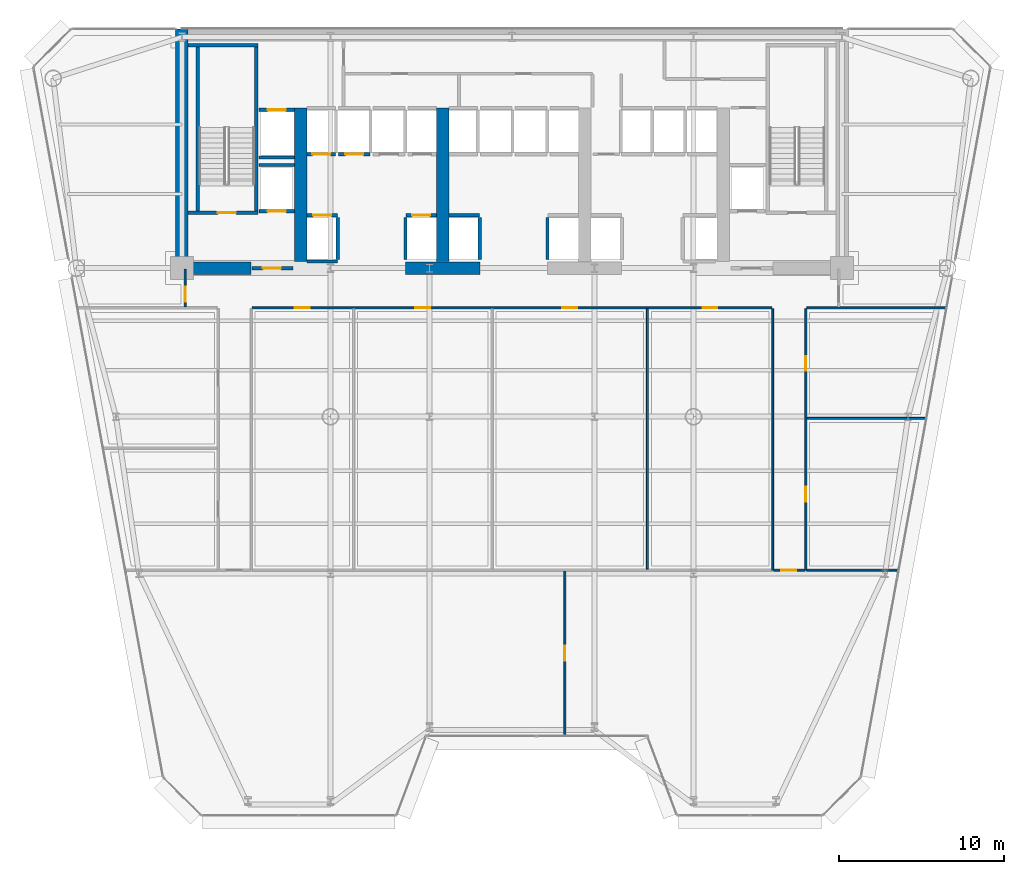
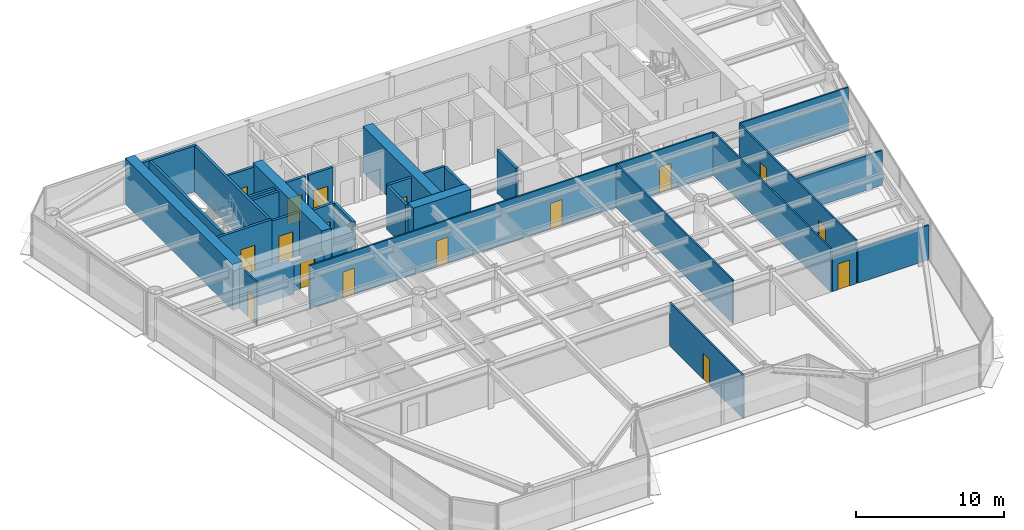
# One storey, part 8 of 14: 34 walls, 17 doors, 17 openings.
"""IFC4 building model written with IfcOpenShell, lengths in metres."""

from ifc_helpers import new_model, si_unit, direction, frame, frame_2d, origin, place, context, subcontext, project, spatial, rectangle, extrude, source, transform, mapped, material, layer, layer_set, type_object, element, fill, save


model = new_model("IFC4")

# Units and contexts
model_context = context("Model", 3, precision=1e-05, world=origin(), true_north=direction((0.0, 1.0)))
body_context = subcontext(model_context, "Body", "Model", "MODEL_VIEW")
ifc_project = project(units=[si_unit("LENGTHUNIT", "METRE"), si_unit("AREAUNIT", "SQUARE_METRE"), si_unit("VOLUMEUNIT", "CUBIC_METRE"), si_unit("PLANEANGLEUNIT", "RADIAN"), si_unit("MASSUNIT", "GRAM", prefix="KILO")], contexts=[model_context])

# Site, building, storey
site_placement = place(None, origin())
site = spatial("IfcSite", under=ifc_project, at=site_placement, CompositionType="ELEMENT")
building_placement = place(site_placement, origin())
building = spatial("IfcBuilding", under=site, at=building_placement, Name="Vaeldorn Concourse Tower", CompositionType="ELEMENT")
storey_placement = place(building_placement, frame((0.0, 0.0, 92.0)))
storey = spatial("IfcBuildingStorey", under=building, at=storey_placement, Name="L23", CompositionType="ELEMENT", Elevation=92.0)

# Walls
ifc_material_1 = material(Name="Concrete C60/75", Category="concrete")
ifc_layer_1 = layer(ifc_material_1, 0.75)
ifc_layer_set_1 = layer_set([ifc_layer_1], Name="Concrete C60/75")
wall_type_1 = type_object("IfcWallType", Name="WL-CORE-750", PredefinedType="SHEAR", material=ifc_layer_set_1)
wall_1_placement = place(storey_placement, frame((14.0, 36.5, 0.0), z_axis=(0.0, 0.0, 1.0), x_axis=(0.0, 1.0, 0.0)))
element("IfcWall", 1, at=wall_1_placement, inside=storey, type_object=wall_type_1, Name="Rear Core Shear Wall L23 W1", PredefinedType="SHEAR", context=body_context, shape_type="SweptSolid", body=[
    extrude(rectangle(XDim=14.5, YDim=0.75, at=frame_2d((7.25, 0.0))), origin(), (0.0, 0.0, 1.0), 3.800048828125),
])
wall_2_placement = place(storey_placement, frame((14.39501953125, 36.5, 0.0), z_axis=(0.0, 0.0, 1.0), x_axis=(1.0, 0.0, 0.0)))
element("IfcWall", 2, at=wall_2_placement, inside=storey, type_object=wall_type_1, Name="Rear Core Shear Wall L23 S1", PredefinedType="SHEAR", context=body_context, shape_type="SweptSolid", body=[
    extrude(rectangle(XDim=3.804931640625, YDim=0.75, at=frame_2d((1.90234375, 0.0))), origin(), (0.0, 0.0, 1.0), 2.3798828125),
])
wall_3_placement = place(storey_placement, frame((27.550048828125, 36.5, 0.0), z_axis=(0.0, 0.0, 1.0), x_axis=(1.0, 0.0, 0.0)))
element("IfcWall", 3, at=wall_3_placement, inside=storey, type_object=wall_type_1, Name="Rear Core Shear Wall L23 S2", PredefinedType="SHEAR", context=body_context, shape_type="SweptSolid", body=[
    extrude(rectangle(XDim=4.5, YDim=0.75, at=frame_2d((2.25, 0.0))), origin(), (0.0, 0.0, 1.0), 3.800048828125),
])
for number, where, z_axis, x_axis, name in (
    (4, (21.199951171875, 36.89501953125, 0.0), (0.0, 0.0, 1.0), (0.0, 1.0, 0.0), "Rear Core Shear Wall L23 M1"),
    (5, (29.800048828125, 36.89501953125, 0.0), (0.0, 0.0, 1.0), (0.0, 1.0, 0.0), "Rear Core Shear Wall L23 M2"),
):
    element("IfcWall", number, at=place(storey_placement, frame(where, z_axis=z_axis, x_axis=x_axis)), inside=storey, type_object=wall_type_1, Name=name, PredefinedType="SHEAR", context=body_context, shape_type="SweptSolid", body=[
        extrude(rectangle(XDim=9.304931640625, YDim=0.75, at=frame_2d((4.65234375, 0.0))), origin(), (0.0, 0.0, 1.0), 3.800048828125),
    ])

# Wall, openings, doors
ifc_material_2 = material(Name="Gypsum Board Partition", Category="gypsum")
ifc_layer_2 = layer(ifc_material_2, 0.1201171875)
ifc_layer_set_2 = layer_set([ifc_layer_2], Name="Gypsum Board Partition")
wall_type_2 = type_object("IfcWallType", Name="WL-PART-120", PredefinedType="PARTITIONING", material=ifc_layer_set_2)
wall_4_placement = place(storey_placement, frame((18.260009765625, 34.10009765625, 0.0), z_axis=(0.0, 0.0, 1.0), x_axis=(1.0, 0.0, 0.0)))
wall_4 = element("IfcWall", 6, at=wall_4_placement, inside=storey, type_object=wall_type_2, Name="Interior Wall PW-L23-CEWS", PredefinedType="PARTITIONING", context=body_context, shape_type="SweptSolid", body=[
    extrude(rectangle(XDim=31.47998046875, YDim=0.1201171875, at=frame_2d((15.739990234375, 0.0))), origin(), (0.0, 0.0, 1.0), 3.580078125),
])
opening_1_placement = place(wall_4_placement, frame((2.590087890625, 0.0, 0.0)))
opening_1 = element("IfcOpeningElement", 7, at=opening_1_placement, cuts=wall_4, Name="Opening D-03", PredefinedType="OPENING", context=body_context, shape_type="SweptSolid", body=[
    extrude(rectangle(XDim=0.89990234375, YDim=2.14990234375, at=frame_2d((0.449951171875, 1.074951171875))), frame((0.0, 0.070068359375, 0.0), z_axis=(0.0, -1.0, 0.0), x_axis=(1.0, 0.0, 0.0)), (0.0, 0.0, 1.0), 0.14013671875),
])
opening_2_placement = place(wall_4_placement, frame((9.889892578125, 0.0, 0.0)))
opening_2 = element("IfcOpeningElement", 8, at=opening_2_placement, cuts=wall_4, Name="Opening D-03", PredefinedType="OPENING", context=body_context, shape_type="SweptSolid", body=[
    extrude(rectangle(XDim=0.89990234375, YDim=2.14990234375, at=frame_2d((0.449951171875, 1.074951171875))), frame((0.0, 0.070068359375, 0.0), z_axis=(0.0, -1.0, 0.0), x_axis=(1.0, 0.0, 0.0)), (0.0, 0.0, 1.0), 0.14013671875),
])
opening_3_placement = place(wall_4_placement, frame((18.7900390625, 0.0, 0.0)))
opening_3 = element("IfcOpeningElement", 9, at=opening_3_placement, cuts=wall_4, Name="Opening D-03", PredefinedType="OPENING", context=body_context, shape_type="SweptSolid", body=[
    extrude(rectangle(XDim=0.89990234375, YDim=2.14990234375, at=frame_2d((0.449951171875, 1.074951171875))), frame((0.0, 0.070068359375, 0.0), z_axis=(0.0, -1.0, 0.0), x_axis=(1.0, 0.0, 0.0)), (0.0, 0.0, 1.0), 0.14013671875),
])
opening_4_placement = place(wall_4_placement, frame((27.2900390625, 0.0, 0.0)))
opening_4 = element("IfcOpeningElement", 10, at=opening_4_placement, cuts=wall_4, Name="Opening D-03", PredefinedType="OPENING", context=body_context, shape_type="SweptSolid", body=[
    extrude(rectangle(XDim=0.89990234375, YDim=2.14990234375, at=frame_2d((0.449951171875, 1.074951171875))), frame((0.0, 0.070068359375, 0.0), z_axis=(0.0, -1.0, 0.0), x_axis=(1.0, 0.0, 0.0)), (0.0, 0.0, 1.0), 0.14013671875),
])
ifc_material_3 = material(Name="Acoustic Bronze-Framed Glass Door", Category="glass")
door_type_1 = type_object("IfcDoorType", Name="DR-INT-900", OperationType="NOTDEFINED", PredefinedType="DOOR", material=ifc_material_3)
shared_shape_1 = source(origin(), body_context, "Body", "SweptSolid", [
    extrude(rectangle(XDim=0.89990234375, YDim=2.14990234375, at=frame_2d((0.449951171875, 1.074951171875))), frame((0.0, 0.02490234375, 0.0), z_axis=(0.0, -1.0, 0.0), x_axis=(1.0, 0.0, 0.0)), (0.0, 0.0, 1.0), 0.050048828125),
])
door_1_placement = place(opening_1_placement, origin())
door_1 = element("IfcDoor", 11, at=door_1_placement, inside=storey, type_object=door_type_1, Name="Interior Door DR-L23-H1", OperationType="SINGLE_SWING_LEFT", OverallHeight=2.14990234375, OverallWidth=0.89990234375, PredefinedType="DOOR", context=body_context, shape_type="MappedRepresentation", body=[
    mapped(shared_shape_1, transform((0.0, 0.0, 0.0), scale=1.0)),
])
fill(opening_1, door_1)
door_2_placement = place(opening_2_placement, origin())
door_2 = element("IfcDoor", 12, at=door_2_placement, inside=storey, type_object=door_type_1, Name="Interior Door DR-L23-H2", OperationType="SINGLE_SWING_RIGHT", OverallHeight=2.14990234375, OverallWidth=0.89990234375, PredefinedType="DOOR", context=body_context, shape_type="MappedRepresentation", body=[
    mapped(shared_shape_1, transform((0.0, 0.0, 0.0), scale=1.0)),
])
fill(opening_2, door_2)
door_3_placement = place(opening_3_placement, origin())
door_3 = element("IfcDoor", 13, at=door_3_placement, inside=storey, type_object=door_type_1, Name="Interior Door DR-L23-H3", OperationType="SINGLE_SWING_LEFT", OverallHeight=2.14990234375, OverallWidth=0.89990234375, PredefinedType="DOOR", context=body_context, shape_type="MappedRepresentation", body=[
    mapped(shared_shape_1, transform((0.0, 0.0, 0.0), scale=1.0)),
])
fill(opening_3, door_3)
door_4_placement = place(opening_4_placement, origin())
door_4 = element("IfcDoor", 14, at=door_4_placement, inside=storey, type_object=door_type_1, Name="Interior Door DR-L23-H4", OperationType="SINGLE_SWING_RIGHT", OverallHeight=2.14990234375, OverallWidth=0.89990234375, PredefinedType="DOOR", context=body_context, shape_type="MappedRepresentation", body=[
    mapped(shared_shape_1, transform((0.0, 0.0, 0.0), scale=1.0)),
])
fill(opening_4, door_4)

# Wall
wall_5_placement = place(storey_placement, frame((51.860107421875, 34.10009765625, 0.0), z_axis=(0.0, 0.0, 1.0), x_axis=(1.0, 0.0, 0.0)))
element("IfcWall", 15, at=wall_5_placement, inside=storey, type_object=wall_type_2, Name="Interior Wall PW-L23-CEWE", PredefinedType="PARTITIONING", context=body_context, shape_type="SweptSolid", body=[
    extrude(rectangle(XDim=8.43359375, YDim=0.1201171875, at=frame_2d((4.216796875, 0.0))), origin(), (0.0, 0.0, 1.0), 3.580078125),
])

# Wall, opening, door
wall_6_placement = place(storey_placement, frame((14.199951171875, 34.159912109375, 0.0), z_axis=(0.0, 0.0, 1.0), x_axis=(0.0, 1.0, 0.0)))
wall_6 = element("IfcWall", 16, at=wall_6_placement, inside=storey, type_object=wall_type_2, Name="Interior Wall PW-L23-CWWT", PredefinedType="PARTITIONING", context=body_context, shape_type="SweptSolid", body=[
    extrude(rectangle(XDim=2.280029296875, YDim=0.1201171875, at=frame_2d((1.14013671875, 0.0))), origin(), (0.0, 0.0, 1.0), 3.580078125),
])
opening_5_placement = place(wall_6_placement, frame((0.300048828125, 0.0, 0.0)))
opening_5 = element("IfcOpeningElement", 17, at=opening_5_placement, cuts=wall_6, Name="Opening D-03", PredefinedType="OPENING", context=body_context, shape_type="SweptSolid", body=[
    extrude(rectangle(XDim=0.89990234375, YDim=2.14990234375, at=frame_2d((0.449951171875, 1.074951171875))), frame((0.0, 0.070068359375, 0.0), z_axis=(0.0, -1.0, 0.0), x_axis=(1.0, 0.0, 0.0)), (0.0, 0.0, 1.0), 0.14013671875),
])
door_5_placement = place(opening_5_placement, origin())
door_5 = element("IfcDoor", 18, at=door_5_placement, inside=storey, type_object=door_type_1, Name="Interior Door DR-L23-NW1", OperationType="SINGLE_SWING_LEFT", OverallHeight=2.14990234375, OverallWidth=0.89990234375, PredefinedType="DOOR", context=body_context, shape_type="MappedRepresentation", body=[
    mapped(shared_shape_1, transform((0.0, 0.0, 0.0), scale=1.0)),
])
fill(opening_5, door_5)

# Wall
wall_7_placement = place(storey_placement, frame((49.800048828125, 18.199951171875, 0.0), z_axis=(0.0, 0.0, 1.0), x_axis=(0.0, 1.0, 0.0)))
element("IfcWall", 19, at=wall_7_placement, inside=storey, type_object=wall_type_2, Name="Interior Wall PW-L23-CEW", PredefinedType="PARTITIONING", context=body_context, shape_type="SweptSolid", body=[
    extrude(rectangle(XDim=15.840087890625, YDim=0.1201171875, at=frame_2d((7.919921875, 0.0))), origin(), (0.0, 0.0, 1.0), 3.580078125),
])

# Wall, openings, doors
wall_8_placement = place(storey_placement, frame((51.800048828125, 18.199951171875, 0.0), z_axis=(0.0, 0.0, 1.0), x_axis=(0.0, 1.0, 0.0)))
wall_8 = element("IfcWall", 20, at=wall_8_placement, inside=storey, type_object=wall_type_2, Name="Interior Wall PW-L23-CEE", PredefinedType="PARTITIONING", context=body_context, shape_type="SweptSolid", body=[
    extrude(rectangle(XDim=15.840087890625, YDim=0.1201171875, at=frame_2d((7.919921875, 0.0))), origin(), (0.0, 0.0, 1.0), 3.580078125),
])
opening_6_placement = place(wall_8_placement, frame((4.14990234375, 0.0, 0.0)))
opening_6 = element("IfcOpeningElement", 21, at=opening_6_placement, cuts=wall_8, Name="Opening D-03", PredefinedType="OPENING", context=body_context, shape_type="SweptSolid", body=[
    extrude(rectangle(XDim=0.89990234375, YDim=2.14990234375, at=frame_2d((0.449951171875, 1.074951171875))), frame((0.0, 0.070068359375, 0.0), z_axis=(0.0, -1.0, 0.0), x_axis=(1.0, 0.0, 0.0)), (0.0, 0.0, 1.0), 0.14013671875),
])
opening_7_placement = place(wall_8_placement, frame((12.070068359375, 0.0, 0.0)))
opening_7 = element("IfcOpeningElement", 22, at=opening_7_placement, cuts=wall_8, Name="Opening D-03", PredefinedType="OPENING", context=body_context, shape_type="SweptSolid", body=[
    extrude(rectangle(XDim=0.89990234375, YDim=2.14990234375, at=frame_2d((0.449951171875, 1.074951171875))), frame((0.0, 0.070068359375, 0.0), z_axis=(0.0, -1.0, 0.0), x_axis=(1.0, 0.0, 0.0)), (0.0, 0.0, 1.0), 0.14013671875),
])
door_6_placement = place(opening_6_placement, origin())
door_6 = element("IfcDoor", 23, at=door_6_placement, inside=storey, type_object=door_type_1, Name="Interior Door DR-L23-E1", OperationType="SINGLE_SWING_RIGHT", OverallHeight=2.14990234375, OverallWidth=0.89990234375, PredefinedType="DOOR", context=body_context, shape_type="MappedRepresentation", body=[
    mapped(shared_shape_1, transform((0.0, 0.0, 0.0), scale=1.0)),
])
fill(opening_6, door_6)
door_7_placement = place(opening_7_placement, origin())
door_7 = element("IfcDoor", 24, at=door_7_placement, inside=storey, type_object=door_type_1, Name="Interior Door DR-L23-E2", OperationType="SINGLE_SWING_LEFT", OverallHeight=2.14990234375, OverallWidth=0.89990234375, PredefinedType="DOOR", context=body_context, shape_type="MappedRepresentation", body=[
    mapped(shared_shape_1, transform((0.0, 0.0, 0.0), scale=1.0)),
])
fill(opening_7, door_7)

# Wall, opening, door
wall_9_placement = place(storey_placement, frame((49.860107421875, 18.199951171875, 0.0), z_axis=(0.0, 0.0, 1.0), x_axis=(1.0, 0.0, 0.0)))
wall_9 = element("IfcWall", 25, at=wall_9_placement, inside=storey, type_object=wall_type_2, Name="Interior Wall PW-L23-CES", PredefinedType="PARTITIONING", context=body_context, shape_type="SweptSolid", body=[
    extrude(rectangle(XDim=1.8798828125, YDim=0.1201171875, at=frame_2d((0.93994140625, 0.0))), origin(), (0.0, 0.0, 1.0), 2.8701171875),
])
opening_8_placement = place(wall_9_placement, frame((0.449951171875, 0.0, 0.0)))
opening_8 = element("IfcOpeningElement", 26, at=opening_8_placement, cuts=wall_9, Name="Opening D-03", PredefinedType="OPENING", context=body_context, shape_type="SweptSolid", body=[
    extrude(rectangle(XDim=0.89990234375, YDim=2.14990234375, at=frame_2d((0.449951171875, 1.074951171875))), frame((0.0, 0.070068359375, 0.0), z_axis=(0.0, -1.0, 0.0), x_axis=(1.0, 0.0, 0.0)), (0.0, 0.0, 1.0), 0.14013671875),
])
door_8_placement = place(opening_8_placement, origin())
door_8 = element("IfcDoor", 27, at=door_8_placement, inside=storey, type_object=door_type_1, Name="Interior Door DR-L23-SEL", OperationType="SINGLE_SWING_RIGHT", OverallHeight=2.14990234375, OverallWidth=0.89990234375, PredefinedType="DOOR", context=body_context, shape_type="MappedRepresentation", body=[
    mapped(shared_shape_1, transform((0.0, 0.0, 0.0), scale=1.0)),
])
fill(opening_8, door_8)

# Walls
wall_10_placement = place(storey_placement, frame((51.860107421875, 18.199951171875, 0.0), z_axis=(0.0, 0.0, 1.0), x_axis=(1.0, 0.0, 0.0)))
element("IfcWall", 28, at=wall_10_placement, inside=storey, type_object=wall_type_2, Name="Interior Wall PW-L23-EY0", PredefinedType="PARTITIONING", context=body_context, shape_type="SweptSolid", body=[
    extrude(rectangle(XDim=5.52978515625, YDim=0.1201171875, at=frame_2d((2.764892578125, 0.0))), origin(), (0.0, 0.0, 1.0), 2.8701171875),
])
wall_11_placement = place(storey_placement, frame((51.860107421875, 27.39990234375, 0.0), z_axis=(0.0, 0.0, 1.0), x_axis=(1.0, 0.0, 0.0)))
element("IfcWall", 29, at=wall_11_placement, inside=storey, type_object=wall_type_2, Name="Interior Wall PW-L23-EY1", PredefinedType="PARTITIONING", context=body_context, shape_type="SweptSolid", body=[
    extrude(rectangle(XDim=7.2099609375, YDim=0.1201171875, at=frame_2d((3.60498046875, 0.0))), origin(), (0.0, 0.0, 1.0), 2.8701171875),
])
wall_12_placement = place(storey_placement, frame((42.199951171875, 18.260009765625, 0.0), z_axis=(0.0, 0.0, 1.0), x_axis=(0.0, 1.0, 0.0)))
element("IfcWall", 30, at=wall_12_placement, inside=storey, type_object=wall_type_2, Name="Interior Wall PW-L23-HX3", PredefinedType="PARTITIONING", context=body_context, shape_type="SweptSolid", body=[
    extrude(rectangle(XDim=15.780029296875, YDim=0.1201171875, at=frame_2d((7.89013671875, 0.0))), origin(), (0.0, 0.0, 1.0), 3.580078125),
])

# Wall, opening, door
wall_13_placement = place(storey_placement, frame((37.199951171875, 8.18701171875, 0.0), z_axis=(0.0, 0.0, 1.0), x_axis=(0.0, 1.0, 0.0)))
wall_13 = element("IfcWall", 31, at=wall_13_placement, inside=storey, type_object=wall_type_2, Name="Interior Wall PW-L23-SMID1", PredefinedType="PARTITIONING", context=body_context, shape_type="SweptSolid", body=[
    extrude(rectangle(XDim=9.952880859375, YDim=0.1201171875, at=frame_2d((4.9765625, 0.0))), origin(), (0.0, 0.0, 1.0), 3.580078125),
])
opening_9_placement = place(wall_13_placement, frame((4.52587890625, 0.0, 0.0)))
opening_9 = element("IfcOpeningElement", 32, at=opening_9_placement, cuts=wall_13, Name="Opening D-03", PredefinedType="OPENING", context=body_context, shape_type="SweptSolid", body=[
    extrude(rectangle(XDim=0.89990234375, YDim=2.14990234375, at=frame_2d((0.449951171875, 1.074951171875))), frame((0.0, 0.070068359375, 0.0), z_axis=(0.0, -1.0, 0.0), x_axis=(1.0, 0.0, 0.0)), (0.0, 0.0, 1.0), 0.14013671875),
])
door_9_placement = place(opening_9_placement, origin())
door_9 = element("IfcDoor", 33, at=door_9_placement, inside=storey, type_object=door_type_1, Name="Interior Door DR-L23-SMID1", OperationType="SINGLE_SWING_RIGHT", OverallHeight=2.14990234375, OverallWidth=0.89990234375, PredefinedType="DOOR", context=body_context, shape_type="MappedRepresentation", body=[
    mapped(shared_shape_1, transform((0.0, 0.0, 0.0), scale=1.0)),
])
fill(opening_9, door_9)

ifc_material_4 = material(Name="Concrete C50/60", Category="concrete")
ifc_layer_3 = layer(ifc_material_4, 0.199951171875)
ifc_layer_set_3 = layer_set([ifc_layer_3], Name="Concrete C50/60")
wall_type_3 = type_object("IfcWallType", Name="WL-SHAFT-200", PredefinedType="SOLIDWALL", material=ifc_layer_set_3)
wall_14_placement = place(storey_placement, frame((14.375, 39.85009765625, 0.0), z_axis=(0.0, 0.0, 1.0), x_axis=(1.0, 0.0, 0.0)))
wall_14 = element("IfcWall", 34, at=wall_14_placement, inside=storey, type_object=wall_type_3, Name="Stair Shaft Wall CW-L23-ST-1-S", PredefinedType="SOLIDWALL", context=body_context, shape_type="SweptSolid", body=[
    extrude(rectangle(XDim=4.22509765625, YDim=0.199951171875, at=frame_2d((2.112548828125, 0.0))), origin(), (0.0, 0.0, 1.0), 3.800048828125),
])
opening_10_placement = place(wall_14_placement, frame((1.800048828125, 0.0, 0.0)))
opening_10 = element("IfcOpeningElement", 35, at=opening_10_placement, cuts=wall_14, Name="Opening D-01", PredefinedType="OPENING", context=body_context, shape_type="SweptSolid", body=[
    extrude(rectangle(XDim=1.10009765625, YDim=2.14990234375, at=frame_2d((0.550048828125, 1.074951171875))), frame((0.0, 0.10986328125, 0.0), z_axis=(0.0, -1.0, 0.0), x_axis=(1.0, 0.0, 0.0)), (0.0, 0.0, 1.0), 0.219970703125),
])
ifc_material_5 = material(Name="Fire-Rated Timber and Steel Leaf", Category="steel")
door_type_2 = type_object("IfcDoorType", Name="DR-FD60-1100", OperationType="NOTDEFINED", PredefinedType="DOOR", material=ifc_material_5)
shared_shape_2 = source(origin(), body_context, "Body", "SweptSolid", [
    extrude(rectangle(XDim=1.10009765625, YDim=2.14990234375, at=frame_2d((0.550048828125, 1.074951171875))), frame((0.0, 0.02490234375, 0.0), z_axis=(0.0, -1.0, 0.0), x_axis=(1.0, 0.0, 0.0)), (0.0, 0.0, 1.0), 0.050048828125),
])
door_10_placement = place(opening_10_placement, origin())
door_10 = element("IfcDoor", 36, at=door_10_placement, inside=storey, type_object=door_type_2, Name="Interior Door DR-L23-ST-1", OperationType="SINGLE_SWING_LEFT", OverallHeight=2.14990234375, OverallWidth=1.10009765625, PredefinedType="DOOR", context=body_context, shape_type="MappedRepresentation", body=[
    mapped(shared_shape_2, transform((0.0, 0.0, 0.0), scale=1.0)),
])
fill(opening_10, door_10)

# Walls
wall_15_placement = place(storey_placement, frame((14.375, 50.0, 0.0), z_axis=(0.0, 0.0, 1.0), x_axis=(1.0, 0.0, 0.0)))
element("IfcWall", 37, at=wall_15_placement, inside=storey, type_object=wall_type_3, Name="Stair Shaft Wall CW-L23-ST-1-N", PredefinedType="SOLIDWALL", context=body_context, shape_type="SweptSolid", body=[
    extrude(rectangle(XDim=4.22509765625, YDim=0.199951171875, at=frame_2d((2.112548828125, 0.0))), origin(), (0.0, 0.0, 1.0), 3.800048828125),
])
for number, where, z_axis, x_axis, name in (
    (38, (14.949951171875, 39.9599609375, 0.0), (0.0, 0.0, 1.0), (0.0, 1.0, 0.0), "Stair Shaft Wall CW-L23-ST-1-W"),
    (39, (18.5, 39.9599609375, 0.0), (0.0, 0.0, 1.0), (0.0, 1.0, 0.0), "Stair Shaft Wall CW-L23-ST-1-E"),
):
    element("IfcWall", number, at=place(storey_placement, frame(where, z_axis=z_axis, x_axis=x_axis)), inside=storey, type_object=wall_type_3, Name=name, PredefinedType="SOLIDWALL", context=body_context, shape_type="SweptSolid", body=[
        extrude(rectangle(XDim=9.929931640625, YDim=0.199951171875, at=frame_2d((4.96484375, 0.0))), origin(), (0.0, 0.0, 1.0), 3.800048828125),
    ])

# Wall, opening, door
wall_16_placement = place(storey_placement, frame((18.25, 36.5, 0.0), z_axis=(0.0, 0.0, 1.0), x_axis=(1.0, 0.0, 0.0)))
wall_16 = element("IfcWall", 40, at=wall_16_placement, inside=storey, type_object=wall_type_3, Name="Interior Wall CW-L23-FF1S", PredefinedType="SOLIDWALL", context=body_context, shape_type="SweptSolid", body=[
    extrude(rectangle(XDim=2.469970703125, YDim=0.199951171875, at=frame_2d((1.23486328125, 0.0))), origin(), (0.0, 0.0, 1.0), 2.3701171875),
])
opening_11_placement = place(wall_16_placement, frame((0.64990234375, 0.0, 0.0)))
opening_11 = element("IfcOpeningElement", 41, at=opening_11_placement, cuts=wall_16, Name="Opening D-01", PredefinedType="OPENING", context=body_context, shape_type="SweptSolid", body=[
    extrude(rectangle(XDim=1.10009765625, YDim=2.14990234375, at=frame_2d((0.550048828125, 1.074951171875))), frame((0.0, 0.10986328125, 0.0), z_axis=(0.0, -1.0, 0.0), x_axis=(1.0, 0.0, 0.0)), (0.0, 0.0, 1.0), 0.219970703125),
])
door_11_placement = place(opening_11_placement, origin())
door_11 = element("IfcDoor", 42, at=door_11_placement, inside=storey, type_object=door_type_2, Name="Interior Door DR-L23-FF1E", OperationType="SINGLE_SWING_RIGHT", OverallHeight=2.14990234375, OverallWidth=1.10009765625, PredefinedType="DOOR", context=body_context, shape_type="MappedRepresentation", body=[
    mapped(shared_shape_2, transform((0.0, 0.0, 0.0), scale=1.0)),
])
fill(opening_11, door_11)

wall_17_placement = place(storey_placement, frame((21.5849609375, 39.699951171875, 0.0), z_axis=(0.0, 0.0, 1.0), x_axis=(1.0, 0.0, 0.0)))
wall_17 = element("IfcWall", 43, at=wall_17_placement, inside=storey, type_object=wall_type_3, Name="Interior Wall CW-L23-LF-LF-01", PredefinedType="SOLIDWALL", context=body_context, shape_type="SweptSolid", body=[
    extrude(rectangle(XDim=1.844970703125, YDim=0.199951171875, at=frame_2d((0.92236328125, 0.0))), origin(), (0.0, 0.0, 1.0), 3.580078125),
])
opening_12_placement = place(wall_17_placement, frame((0.3720703125, 0.0, 0.0)))
opening_12 = element("IfcOpeningElement", 44, at=opening_12_placement, cuts=wall_17, Name="Opening LD-1", PredefinedType="OPENING", context=body_context, shape_type="SweptSolid", body=[
    extrude(rectangle(XDim=1.10009765625, YDim=2.14990234375, at=frame_2d((0.550048828125, 1.074951171875))), frame((0.0, 0.10986328125, 0.0), z_axis=(0.0, -1.0, 0.0), x_axis=(1.0, 0.0, 0.0)), (0.0, 0.0, 1.0), 0.219970703125),
])
ifc_material_6 = material(Name="Anodised Bronze Aluminium", Category="aluminium")
door_type_3 = type_object("IfcDoorType", Name="DR-LIFT-SLIDE-1100", OperationType="DOUBLE_DOOR_SLIDING", PredefinedType="DOOR", material=ifc_material_6)
door_12_placement = place(opening_12_placement, origin())
door_12 = element("IfcDoor", 45, at=door_12_placement, inside=storey, type_object=door_type_3, Name="Lift Landing Door LD-L23-LF-01", OperationType="DOUBLE_DOOR_SLIDING", OverallHeight=2.14990234375, OverallWidth=1.10009765625, PredefinedType="DOOR", context=body_context, shape_type="MappedRepresentation", body=[
    mapped(shared_shape_2, transform((0.0, 0.0, 0.0), scale=1.0)),
])
fill(opening_12, door_12)

# Walls
wall_18_placement = place(storey_placement, frame((21.5849609375, 36.89990234375, 0.0), z_axis=(0.0, 0.0, 1.0), x_axis=(1.0, 0.0, 0.0)))
element("IfcWall", 46, at=wall_18_placement, inside=storey, type_object=wall_type_3, Name="Interior Wall CW-L23-LFB-LF-01", PredefinedType="SOLIDWALL", context=body_context, shape_type="SweptSolid", body=[
    extrude(rectangle(XDim=1.844970703125, YDim=0.199951171875, at=frame_2d((0.92236328125, 0.0))), origin(), (0.0, 0.0, 1.0), 2.3701171875),
])
wall_19_placement = place(storey_placement, frame((23.449951171875, 37.02001953125, 0.0), z_axis=(0.0, 0.0, 1.0), x_axis=(0.0, 1.0, 0.0)))
element("IfcWall", 47, at=wall_19_placement, inside=storey, type_object=wall_type_3, Name="Interior Wall CW-L23-LFE-LF-01", PredefinedType="SOLIDWALL", context=body_context, shape_type="SweptSolid", body=[
    extrude(rectangle(XDim=2.56005859375, YDim=0.199951171875, at=frame_2d((1.280029296875, 0.0))), origin(), (0.0, 0.0, 1.0), 3.580078125),
])

# Wall, opening, door
wall_20_placement = place(storey_placement, frame((27.570068359375, 39.699951171875, 0.0), z_axis=(0.0, 0.0, 1.0), x_axis=(1.0, 0.0, 0.0)))
wall_20 = element("IfcWall", 48, at=wall_20_placement, inside=storey, type_object=wall_type_3, Name="Interior Wall CW-L23-LF-LF-02", PredefinedType="SOLIDWALL", context=body_context, shape_type="SweptSolid", body=[
    extrude(rectangle(XDim=1.844970703125, YDim=0.199951171875, at=frame_2d((0.92236328125, 0.0))), origin(), (0.0, 0.0, 1.0), 3.580078125),
])
opening_13_placement = place(wall_20_placement, frame((0.3720703125, 0.0, 0.0)))
opening_13 = element("IfcOpeningElement", 49, at=opening_13_placement, cuts=wall_20, Name="Opening LD-1", PredefinedType="OPENING", context=body_context, shape_type="SweptSolid", body=[
    extrude(rectangle(XDim=1.10009765625, YDim=2.14990234375, at=frame_2d((0.550048828125, 1.074951171875))), frame((0.0, 0.10986328125, 0.0), z_axis=(0.0, -1.0, 0.0), x_axis=(1.0, 0.0, 0.0)), (0.0, 0.0, 1.0), 0.219970703125),
])
door_13_placement = place(opening_13_placement, origin())
door_13 = element("IfcDoor", 50, at=door_13_placement, inside=storey, type_object=door_type_3, Name="Lift Landing Door LD-L23-LF-02", OperationType="DOUBLE_DOOR_SLIDING", OverallHeight=2.14990234375, OverallWidth=1.10009765625, PredefinedType="DOOR", context=body_context, shape_type="MappedRepresentation", body=[
    mapped(shared_shape_2, transform((0.0, 0.0, 0.0), scale=1.0)),
])
fill(opening_13, door_13)

# Wall
wall_21_placement = place(storey_placement, frame((27.550048828125, 37.02001953125, 0.0), z_axis=(0.0, 0.0, 1.0), x_axis=(0.0, 1.0, 0.0)))
element("IfcWall", 51, at=wall_21_placement, inside=storey, type_object=wall_type_3, Name="Interior Wall CW-L23-LFW-LF-02", PredefinedType="SOLIDWALL", context=body_context, shape_type="SweptSolid", body=[
    extrude(rectangle(XDim=2.56005859375, YDim=0.199951171875, at=frame_2d((1.280029296875, 0.0))), origin(), (0.0, 0.0, 1.0), 3.580078125),
])

# Wall, opening, door
wall_22_placement = place(storey_placement, frame((21.5849609375, 43.39990234375, 0.0), z_axis=(0.0, 0.0, 1.0), x_axis=(1.0, 0.0, 0.0)))
wall_22 = element("IfcWall", 52, at=wall_22_placement, inside=storey, type_object=wall_type_3, Name="Interior Wall CW-L23-LF-LF-03", PredefinedType="SOLIDWALL", context=body_context, shape_type="SweptSolid", body=[
    extrude(rectangle(XDim=1.72509765625, YDim=0.199951171875, at=frame_2d((0.862548828125, 0.0))), origin(), (0.0, 0.0, 1.0), 3.580078125),
])
opening_14_placement = place(wall_22_placement, frame((0.31201171875, 0.0, 0.0)))
opening_14 = element("IfcOpeningElement", 53, at=opening_14_placement, cuts=wall_22, Name="Opening LD-1", PredefinedType="OPENING", context=body_context, shape_type="SweptSolid", body=[
    extrude(rectangle(XDim=1.10009765625, YDim=2.14990234375, at=frame_2d((0.550048828125, 1.074951171875))), frame((0.0, 0.10986328125, 0.0), z_axis=(0.0, -1.0, 0.0), x_axis=(1.0, 0.0, 0.0)), (0.0, 0.0, 1.0), 0.219970703125),
])
door_14_placement = place(opening_14_placement, origin())
door_14 = element("IfcDoor", 54, at=door_14_placement, inside=storey, type_object=door_type_3, Name="Lift Landing Door LD-L23-LF-03", OperationType="DOUBLE_DOOR_SLIDING", OverallHeight=2.14990234375, OverallWidth=1.10009765625, PredefinedType="DOOR", context=body_context, shape_type="MappedRepresentation", body=[
    mapped(shared_shape_2, transform((0.0, 0.0, 0.0), scale=1.0)),
])
fill(opening_14, door_14)

wall_23_placement = place(storey_placement, frame((23.489990234375, 43.39990234375, 0.0), z_axis=(0.0, 0.0, 1.0), x_axis=(1.0, 0.0, 0.0)))
wall_23 = element("IfcWall", 55, at=wall_23_placement, inside=storey, type_object=wall_type_3, Name="Interior Wall CW-L23-LF-LF-04", PredefinedType="SOLIDWALL", context=body_context, shape_type="SweptSolid", body=[
    extrude(rectangle(XDim=1.919921875, YDim=0.199951171875, at=frame_2d((0.9599609375, 0.0))), origin(), (0.0, 0.0, 1.0), 3.580078125),
])
opening_15_placement = place(wall_23_placement, frame((0.409912109375, 0.0, 0.0)))
opening_15 = element("IfcOpeningElement", 56, at=opening_15_placement, cuts=wall_23, Name="Opening LD-1", PredefinedType="OPENING", context=body_context, shape_type="SweptSolid", body=[
    extrude(rectangle(XDim=1.10009765625, YDim=2.14990234375, at=frame_2d((0.550048828125, 1.074951171875))), frame((0.0, 0.10986328125, 0.0), z_axis=(0.0, -1.0, 0.0), x_axis=(1.0, 0.0, 0.0)), (0.0, 0.0, 1.0), 0.219970703125),
])
door_15_placement = place(opening_15_placement, origin())
door_15 = element("IfcDoor", 57, at=door_15_placement, inside=storey, type_object=door_type_3, Name="Lift Landing Door LD-L23-LF-04", OperationType="DOUBLE_DOOR_SLIDING", OverallHeight=2.14990234375, OverallWidth=1.10009765625, PredefinedType="DOOR", context=body_context, shape_type="MappedRepresentation", body=[
    mapped(shared_shape_2, transform((0.0, 0.0, 0.0), scale=1.0)),
])
fill(opening_15, door_15)

# Walls
wall_24_placement = place(storey_placement, frame((30.18505859375, 39.699951171875, 0.0), z_axis=(0.0, 0.0, 1.0), x_axis=(1.0, 0.0, 0.0)))
element("IfcWall", 58, at=wall_24_placement, inside=storey, type_object=wall_type_3, Name="Interior Wall CW-L23-LF-LF-07", PredefinedType="SOLIDWALL", context=body_context, shape_type="SweptSolid", body=[
    extrude(rectangle(XDim=1.844970703125, YDim=0.199951171875, at=frame_2d((0.92236328125, 0.0))), origin(), (0.0, 0.0, 1.0), 3.580078125),
])
for number, where, z_axis, x_axis, name in (
    (59, (32.050048828125, 37.02001953125, 0.0), (0.0, 0.0, 1.0), (0.0, 1.0, 0.0), "Interior Wall CW-L23-LFE-LF-07"),
    (60, (36.14990234375, 37.02001953125, 0.0), (0.0, 0.0, 1.0), (0.0, 1.0, 0.0), "Interior Wall CW-L23-LFW-LF-08"),
):
    element("IfcWall", number, at=place(storey_placement, frame(where, z_axis=z_axis, x_axis=x_axis)), inside=storey, type_object=wall_type_3, Name=name, PredefinedType="SOLIDWALL", context=body_context, shape_type="SweptSolid", body=[
        extrude(rectangle(XDim=2.56005859375, YDim=0.199951171875, at=frame_2d((1.280029296875, 0.0))), origin(), (0.0, 0.0, 1.0), 3.580078125),
    ])

# Wall, opening, door
wall_25_placement = place(storey_placement, frame((18.669921875, 46.10009765625, 0.0), z_axis=(0.0, 0.0, 1.0), x_axis=(1.0, 0.0, 0.0)))
wall_25 = element("IfcWall", 61, at=wall_25_placement, inside=storey, type_object=wall_type_3, Name="Interior Wall CW-L23-LF-LF-SV1", PredefinedType="SOLIDWALL", context=body_context, shape_type="SweptSolid", body=[
    extrude(rectangle(XDim=2.14501953125, YDim=0.199951171875, at=frame_2d((1.072509765625, 0.0))), origin(), (0.0, 0.0, 1.0), 3.580078125),
])
opening_16_placement = place(wall_25_placement, frame((0.52197265625, 0.0, 0.0)))
opening_16 = element("IfcOpeningElement", 62, at=opening_16_placement, cuts=wall_25, Name="Opening LD-1", PredefinedType="OPENING", context=body_context, shape_type="SweptSolid", body=[
    extrude(rectangle(XDim=1.10009765625, YDim=2.14990234375, at=frame_2d((0.550048828125, 1.074951171875))), frame((0.0, 0.10986328125, 0.0), z_axis=(0.0, -1.0, 0.0), x_axis=(1.0, 0.0, 0.0)), (0.0, 0.0, 1.0), 0.219970703125),
])
door_16_placement = place(opening_16_placement, origin())
door_16 = element("IfcDoor", 63, at=door_16_placement, inside=storey, type_object=door_type_3, Name="Lift Landing Door LD-L23-LF-SV1", OperationType="DOUBLE_DOOR_SLIDING", OverallHeight=2.14990234375, OverallWidth=1.10009765625, PredefinedType="DOOR", context=body_context, shape_type="MappedRepresentation", body=[
    mapped(shared_shape_2, transform((0.0, 0.0, 0.0), scale=1.0)),
])
fill(opening_16, door_16)

# Wall
wall_26_placement = place(storey_placement, frame((18.669921875, 43.199951171875, 0.0), z_axis=(0.0, 0.0, 1.0), x_axis=(1.0, 0.0, 0.0)))
element("IfcWall", 64, at=wall_26_placement, inside=storey, type_object=wall_type_3, Name="Interior Wall CW-L23-LFB-LF-SV1", PredefinedType="SOLIDWALL", context=body_context, shape_type="SweptSolid", body=[
    extrude(rectangle(XDim=2.14501953125, YDim=0.199951171875, at=frame_2d((1.072509765625, 0.0))), origin(), (0.0, 0.0, 1.0), 3.580078125),
])

# Wall, opening, door
wall_27_placement = place(storey_placement, frame((18.669921875, 39.949951171875, 0.0), z_axis=(0.0, 0.0, 1.0), x_axis=(1.0, 0.0, 0.0)))
wall_27 = element("IfcWall", 65, at=wall_27_placement, inside=storey, type_object=wall_type_3, Name="Interior Wall CW-L23-LF-LF-FF1", PredefinedType="SOLIDWALL", context=body_context, shape_type="SweptSolid", body=[
    extrude(rectangle(XDim=2.14501953125, YDim=0.199951171875, at=frame_2d((1.072509765625, 0.0))), origin(), (0.0, 0.0, 1.0), 3.580078125),
])
opening_17_placement = place(wall_27_placement, frame((0.52197265625, 0.0, 0.0)))
opening_17 = element("IfcOpeningElement", 66, at=opening_17_placement, cuts=wall_27, Name="Opening LD-1", PredefinedType="OPENING", context=body_context, shape_type="SweptSolid", body=[
    extrude(rectangle(XDim=1.10009765625, YDim=2.14990234375, at=frame_2d((0.550048828125, 1.074951171875))), frame((0.0, 0.10986328125, 0.0), z_axis=(0.0, -1.0, 0.0), x_axis=(1.0, 0.0, 0.0)), (0.0, 0.0, 1.0), 0.219970703125),
])
door_17_placement = place(opening_17_placement, origin())
door_17 = element("IfcDoor", 67, at=door_17_placement, inside=storey, type_object=door_type_3, Name="Lift Landing Door LD-L23-LF-FF1", OperationType="DOUBLE_DOOR_SLIDING", OverallHeight=2.14990234375, OverallWidth=1.10009765625, PredefinedType="DOOR", context=body_context, shape_type="MappedRepresentation", body=[
    mapped(shared_shape_2, transform((0.0, 0.0, 0.0), scale=1.0)),
])
fill(opening_17, door_17)

# Wall
wall_28_placement = place(storey_placement, frame((18.669921875, 42.75, 0.0), z_axis=(0.0, 0.0, 1.0), x_axis=(1.0, 0.0, 0.0)))
element("IfcWall", 68, at=wall_28_placement, inside=storey, type_object=wall_type_3, Name="Interior Wall CW-L23-LFB-LF-FF1", PredefinedType="SOLIDWALL", context=body_context, shape_type="SweptSolid", body=[
    extrude(rectangle(XDim=2.14501953125, YDim=0.199951171875, at=frame_2d((1.072509765625, 0.0))), origin(), (0.0, 0.0, 1.0), 3.580078125),
])

save(model, "model.ifc")
